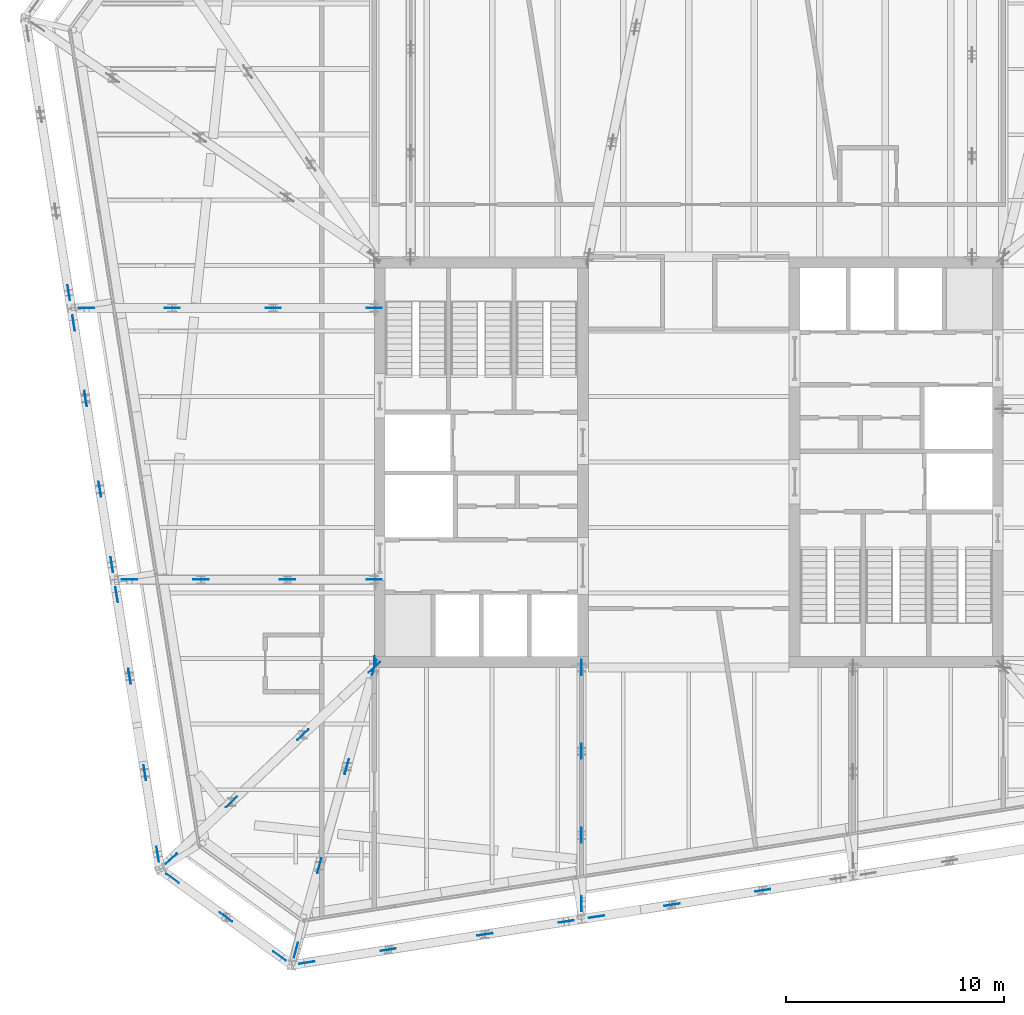
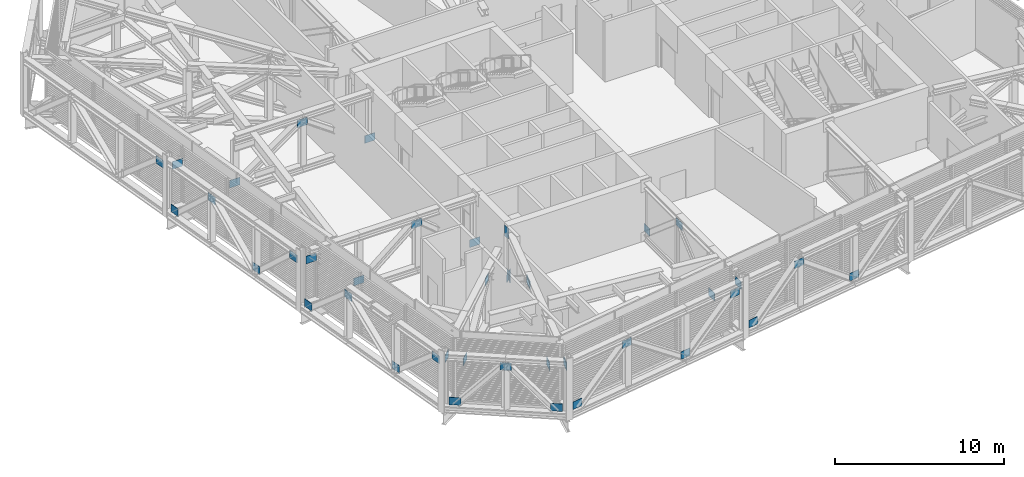
# One storey, part 27 of 32: 40 discrete accessories.
"""IFC4 building model written with IfcOpenShell, lengths in metres."""

from ifc_helpers import new_model, si_unit, direction, frame, origin, origin_2d, place, context, subcontext, project, spatial, rectangle, extrude, material, layer, layer_set, type_object, element, save


model = new_model("IFC4")

# Units and contexts
model_context = context("Model", 3, precision=1e-05, world=origin(), true_north=direction((0.0, 1.0)))
body_context = subcontext(model_context, "Body", "Model", "MODEL_VIEW")
ifc_project = project(units=[si_unit("LENGTHUNIT", "METRE"), si_unit("AREAUNIT", "SQUARE_METRE"), si_unit("VOLUMEUNIT", "CUBIC_METRE"), si_unit("PLANEANGLEUNIT", "RADIAN"), si_unit("MASSUNIT", "GRAM", prefix="KILO")], contexts=[model_context])

# Site, building, storey
site_placement = place(None, origin())
site = spatial("IfcSite", under=ifc_project, at=site_placement, CompositionType="ELEMENT")
building_placement = place(site_placement, origin())
building = spatial("IfcBuilding", under=site, at=building_placement, Name="Millrace Tower", CompositionType="ELEMENT")
storey_placement = place(building_placement, frame((0.0, 0.0, 266.89990234375)))
storey = spatial("IfcBuildingStorey", under=building, at=storey_placement, Name="L61", CompositionType="ELEMENT", Elevation=266.89990234375)

# Discrete accessories
ifc_material_1 = material(Name="Steel ASTM A572 Grade 50", Category="steel")
ifc_layer_1 = layer(ifc_material_1, 0.02490234375)
ifc_layer_set_1 = layer_set([ifc_layer_1], Name="Steel ASTM A572 Grade 50")
discrete_accessory_type_1 = type_object("IfcDiscreteAccessoryType", Name="Cast-in anchor plate 500x780x25", PredefinedType="ANCHORPLATE", material=ifc_layer_set_1)
discrete_accessory_1_placement = place(storey_placement, frame((-14.375, -9.14990234375, 3.76513671875), z_axis=(-1.0, 0.0, 0.0), x_axis=(0.0, -1.0, 0.0)))
element("IfcDiscreteAccessory", 1, at=discrete_accessory_1_placement, inside=storey, type_object=discrete_accessory_type_1, Name="Cast-in anchor plate BLT-L61-O01-V00", PredefinedType="ANCHORPLATE", context=body_context, shape_type="SweptSolid", body=[
    extrude(rectangle(XDim=0.5, YDim=0.780029296875, at=origin_2d()), origin(), (0.0, 0.0, 1.0), 0.02490234375),
])
ifc_material_2 = material(Name="Steel ASTM A572 Grade 50", Category="steel")
ifc_layer_2 = layer(ifc_material_2, 0.02490234375)
ifc_layer_set_2 = layer_set([ifc_layer_2], Name="Steel ASTM A572 Grade 50")
discrete_accessory_type_2 = type_object("IfcDiscreteAccessoryType", Name="Truss gusset plate 700x550x25", PredefinedType="BRACKET", material=ifc_layer_set_2)
discrete_accessory_2_placement = place(storey_placement, frame((-23.9228515625, -18.85205078125, 0.75), z_axis=(0.80894712746, -0.587881403835, 0.0), x_axis=(0.587881403835, 0.80894712746, 0.0)))
element("IfcDiscreteAccessory", 2, at=discrete_accessory_2_placement, inside=storey, type_object=discrete_accessory_type_2, Name="Truss gusset plate BLT-L61-R01-D01 foot", PredefinedType="BRACKET", context=body_context, shape_type="SweptSolid", body=[
    extrude(rectangle(XDim=0.02490234375, YDim=0.550048828125, at=origin_2d()), origin(), (0.0, 0.0, 1.0), 0.7001953125),
])
discrete_accessory_3_placement = place(storey_placement, frame((-21.473388671875, -20.631591796875, 3.489990234375), z_axis=(0.808826569644, -0.588047260207, 0.0), x_axis=(0.588047260207, 0.808826569644, 0.0)))
element("IfcDiscreteAccessory", 3, at=discrete_accessory_3_placement, inside=storey, type_object=discrete_accessory_type_2, Name="Truss gusset plate BLT-L61-R01-D01 head", PredefinedType="BRACKET", context=body_context, shape_type="SweptSolid", body=[
    extrude(rectangle(XDim=0.02490234375, YDim=0.550048828125, at=origin_2d()), origin(), (0.0, 0.0, 1.0), 0.699951171875),
])
discrete_accessory_4_placement = place(storey_placement, frame((-19.024169921875, -22.4111328125, 0.75), z_axis=(0.80894712746, -0.587881403835, 0.0), x_axis=(0.587881403835, 0.80894712746, 0.0)))
element("IfcDiscreteAccessory", 4, at=discrete_accessory_4_placement, inside=storey, type_object=discrete_accessory_type_2, Name="Truss gusset plate BLT-L61-R01-D02 foot", PredefinedType="BRACKET", context=body_context, shape_type="SweptSolid", body=[
    extrude(rectangle(XDim=0.02490234375, YDim=0.550048828125, at=origin_2d()), origin(), (0.0, 0.0, 1.0), 0.7001953125),
])
for number, where, z_axis, x_axis, name in (
    (5, (-17.8291015625, -22.9736328125, 0.75), (0.987717677878, 0.156249124184, 0.0), (-0.156249124184, 0.987717677878, 0.0), "Truss gusset plate BLT-L61-R02-D01 foot"),
    (6, (-14.099365234375, -22.3828125, 3.489990234375), (0.987717677878, 0.156249124184, 0.0), (-0.156249124184, 0.987717677878, 0.0), "Truss gusset plate BLT-L61-R02-D01 head"),
    (7, (-9.67822265625, -21.6826171875, 0.75), (0.987717677878, 0.156249124184, 0.0), (-0.156249124184, 0.987717677878, 0.0), "Truss gusset plate BLT-L61-R02-D02 foot"),
):
    element("IfcDiscreteAccessory", number, at=place(storey_placement, frame(where, z_axis=z_axis, x_axis=x_axis)), inside=storey, type_object=discrete_accessory_type_2, Name=name, PredefinedType="BRACKET", context=body_context, shape_type="SweptSolid", body=[
        extrude(rectangle(XDim=0.02490234375, YDim=0.550048828125, at=origin_2d()), origin(), (0.0, 0.0, 1.0), 0.699951171875),
    ])
discrete_accessory_5_placement = place(storey_placement, frame((-5.948486328125, -21.092041015625, 3.489990234375), z_axis=(0.987655240593, 0.156643307321, 0.0), x_axis=(-0.156643307321, 0.987655240593, 0.0)))
element("IfcDiscreteAccessory", 8, at=discrete_accessory_5_placement, inside=storey, type_object=discrete_accessory_type_2, Name="Truss gusset plate BLT-L61-R02-D03 head", PredefinedType="BRACKET", context=body_context, shape_type="SweptSolid", body=[
    extrude(rectangle(XDim=0.02490234375, YDim=0.550048828125, at=origin_2d()), origin(), (0.0, 0.0, 1.0), 0.69970703125),
])
for number, where, z_axis, x_axis, name in (
    (9, (-4.56591796875, -20.873046875, 0.75), (0.987663796475, 0.156589351913, 0.0), (-0.156589351913, 0.987663796475, 0.0), "Truss gusset plate BLT-L61-R03-D01 foot"),
    (10, (-1.10888671875, -20.325439453125, 3.489990234375), (0.987717677878, 0.156249124184, 0.0), (-0.156249124184, 0.987717677878, 0.0), "Truss gusset plate BLT-L61-R03-D01 head"),
    (11, (3.039306640625, -19.66845703125, 0.75), (0.987663796475, 0.156589351913, 0.0), (-0.156589351913, 0.987663796475, 0.0), "Truss gusset plate BLT-L61-R03-D02 foot"),
    (12, (-28.44189453125, 8.0986328125, 3.489990234375), (0.156249124184, -0.987717677878, 0.0), (0.987717677878, 0.156249124184, 0.0), "Truss gusset plate BLT-L61-R14-D03 head"),
    (13, (-28.222900390625, 6.7158203125, 0.75), (0.156249124184, -0.987717677878, 0.0), (0.987717677878, 0.156249124184, 0.0), "Truss gusset plate BLT-L61-R15-D01 foot"),
    (14, (-27.675537109375, 3.259033203125, 3.489990234375), (0.156589351913, -0.987663796475, 0.0), (0.987663796475, 0.156589351913, 0.0), "Truss gusset plate BLT-L61-R15-D01 head"),
    (15, (-27.018310546875, -0.889404296875, 0.75), (0.156249124184, -0.987717677878, 0.0), (0.987717677878, 0.156249124184, 0.0), "Truss gusset plate BLT-L61-R15-D02 foot"),
    (16, (-26.470947265625, -4.34619140625, 3.489990234375), (0.156589351913, -0.987663796475, 0.0), (0.987663796475, 0.156589351913, 0.0), "Truss gusset plate BLT-L61-R15-D03 head"),
    (17, (-26.251953125, -5.72900390625, 0.75), (0.156589351913, -0.987663796475, 0.0), (0.987663796475, 0.156589351913, 0.0), "Truss gusset plate BLT-L61-R16-D01 foot"),
    (18, (-25.6611328125, -9.45849609375, 3.489990234375), (0.156249124184, -0.987717677878, 0.0), (0.987717677878, 0.156249124184, 0.0), "Truss gusset plate BLT-L61-R16-D01 head"),
    (19, (-24.9609375, -13.879638671875, 0.75), (0.156249124184, -0.987717677878, 0.0), (0.987717677878, 0.156249124184, 0.0), "Truss gusset plate BLT-L61-R16-D02 foot"),
    (20, (-24.370361328125, -17.609375, 3.489990234375), (0.156589351913, -0.987663796475, 0.0), (0.987663796475, 0.156589351913, 0.0), "Truss gusset plate BLT-L61-R16-D03 head"),
):
    element("IfcDiscreteAccessory", number, at=place(storey_placement, frame(where, z_axis=z_axis, x_axis=x_axis)), inside=storey, type_object=discrete_accessory_type_2, Name=name, PredefinedType="BRACKET", context=body_context, shape_type="SweptSolid", body=[
        extrude(rectangle(XDim=0.02490234375, YDim=0.550048828125, at=origin_2d()), origin(), (0.0, 0.0, 1.0), 0.699951171875),
    ])
discrete_accessory_6_placement = place(storey_placement, frame((-14.654541015625, -9.64013671875, 0.75), z_axis=(0.72739036687, 0.686223909657, 0.0), x_axis=(-0.686223909657, 0.72739036687, 0.0)))
element("IfcDiscreteAccessory", 21, at=discrete_accessory_6_placement, inside=storey, type_object=discrete_accessory_type_2, Name="Truss gusset plate BLT-L61-O01-D01 foot", PredefinedType="BRACKET", context=body_context, shape_type="SweptSolid", body=[
    extrude(rectangle(XDim=0.02490234375, YDim=0.550048828125, at=origin_2d()), origin(), (0.0, 0.0, 1.0), 0.69970703125),
])
for number, where, z_axis, x_axis, name in (
    (22, (-17.92333984375, -12.72216796875, 3.489990234375), (0.727554587562, 0.686049795654, 0.0), (-0.686049795654, 0.727554587562, 0.0), "Truss gusset plate BLT-L61-O01-D01 head"),
    (23, (-21.19189453125, -15.804443359375, 0.75), (0.727554587562, 0.686049795654, 0.0), (-0.686049795654, 0.727554587562, 0.0), "Truss gusset plate BLT-L61-O01-D02 foot"),
    (24, (-23.951416015625, -18.40625, 3.489990234375), (0.727554587562, 0.686049795654, 0.0), (-0.686049795654, 0.727554587562, 0.0), "Truss gusset plate BLT-L61-O01-D03 head"),
    (25, (-14.493408203125, -9.7373046875, 0.75), (0.266834226745, 0.96374244248, 0.0), (-0.96374244248, 0.266834226745, 0.0), "Truss gusset plate BLT-L61-O02-D01 foot"),
    (26, (-15.751708984375, -14.280029296875, 3.489990234375), (0.267158149471, 0.963652698419, 0.0), (-0.963652698419, 0.267158149471, 0.0), "Truss gusset plate BLT-L61-O02-D01 head"),
):
    element("IfcDiscreteAccessory", number, at=place(storey_placement, frame(where, z_axis=z_axis, x_axis=x_axis)), inside=storey, type_object=discrete_accessory_type_2, Name=name, PredefinedType="BRACKET", context=body_context, shape_type="SweptSolid", body=[
        extrude(rectangle(XDim=0.02490234375, YDim=0.550048828125, at=origin_2d()), origin(), (0.0, 0.0, 1.0), 0.699951171875),
    ])
discrete_accessory_7_placement = place(storey_placement, frame((-17.010009765625, -18.822998046875, 0.75), z_axis=(0.267068388345, 0.963677578834, 0.0), x_axis=(-0.963677578834, 0.267068388345, 0.0)))
element("IfcDiscreteAccessory", 27, at=discrete_accessory_7_placement, inside=storey, type_object=discrete_accessory_type_2, Name="Truss gusset plate BLT-L61-O02-D02 foot", PredefinedType="BRACKET", context=body_context, shape_type="SweptSolid", body=[
    extrude(rectangle(XDim=0.02490234375, YDim=0.550048828125, at=origin_2d()), origin(), (0.0, 0.0, 1.0), 0.7001953125),
])
for number, where, z_axis, x_axis, name in (
    (28, (-18.081298828125, -22.691162109375, 3.489990234375), (0.267158149471, 0.963652698419, 0.0), (-0.963652698419, 0.267158149471, 0.0), "Truss gusset plate BLT-L61-O02-D03 head"),
    (29, (-4.91162109375, -9.75, 0.75), (0.0, 1.0, 0.0), (-1.0, 0.0, 0.0), "Truss gusset plate BLT-L61-O03-D01 foot"),
    (30, (-4.91162109375, -13.592529296875, 3.489990234375), (0.0, 1.0, 0.0), (-1.0, 0.0, 0.0), "Truss gusset plate BLT-L61-O03-D01 head"),
):
    element("IfcDiscreteAccessory", number, at=place(storey_placement, frame(where, z_axis=z_axis, x_axis=x_axis)), inside=storey, type_object=discrete_accessory_type_2, Name=name, PredefinedType="BRACKET", context=body_context, shape_type="SweptSolid", body=[
        extrude(rectangle(XDim=0.02490234375, YDim=0.550048828125, at=origin_2d()), origin(), (0.0, 0.0, 1.0), 0.699951171875),
    ])
discrete_accessory_8_placement = place(storey_placement, frame((-4.91162109375, -17.435302734375, 0.75), z_axis=(0.0, 1.0, 0.0), x_axis=(-1.0, 0.0, 0.0)))
element("IfcDiscreteAccessory", 31, at=discrete_accessory_8_placement, inside=storey, type_object=discrete_accessory_type_2, Name="Truss gusset plate BLT-L61-O03-D02 foot", PredefinedType="BRACKET", context=body_context, shape_type="SweptSolid", body=[
    extrude(rectangle(XDim=0.02490234375, YDim=0.550048828125, at=origin_2d()), origin(), (0.0, 0.0, 1.0), 0.7001953125),
])
for number, where, z_axis, x_axis, name in (
    (32, (-4.91162109375, -20.57763671875, 3.489990234375), (0.0, 1.0, 0.0), (-1.0, 0.0, 0.0), "Truss gusset plate BLT-L61-O03-D03 head"),
    (33, (-14.75, 7.0615234375, 0.75), (1.0, 0.0, 0.0), (0.0, 1.0, 0.0), "Truss gusset plate BLT-L61-O15-D01 foot"),
):
    element("IfcDiscreteAccessory", number, at=place(storey_placement, frame(where, z_axis=z_axis, x_axis=x_axis)), inside=storey, type_object=discrete_accessory_type_2, Name=name, PredefinedType="BRACKET", context=body_context, shape_type="SweptSolid", body=[
        extrude(rectangle(XDim=0.02490234375, YDim=0.550048828125, at=origin_2d()), origin(), (0.0, 0.0, 1.0), 0.699951171875),
    ])
discrete_accessory_9_placement = place(storey_placement, frame((-19.3759765625, 7.0615234375, 3.489990234375), z_axis=(1.0, 0.0, 0.0), x_axis=(0.0, 1.0, 0.0)))
element("IfcDiscreteAccessory", 34, at=discrete_accessory_9_placement, inside=storey, type_object=discrete_accessory_type_2, Name="Truss gusset plate BLT-L61-O15-D01 head", PredefinedType="BRACKET", context=body_context, shape_type="SweptSolid", body=[
    extrude(rectangle(XDim=0.02490234375, YDim=0.550048828125, at=origin_2d()), origin(), (0.0, 0.0, 1.0), 0.7001953125),
])
for number, where, z_axis, x_axis, name in (
    (35, (-24.001708984375, 7.0615234375, 0.75), (1.0, 0.0, 0.0), (0.0, 1.0, 0.0), "Truss gusset plate BLT-L61-O15-D02 foot"),
    (36, (-27.927734375, 7.0615234375, 3.489990234375), (1.0, 0.0, 0.0), (0.0, 1.0, 0.0), "Truss gusset plate BLT-L61-O15-D03 head"),
    (37, (-14.75, -5.38330078125, 0.75), (1.0, 0.0, 0.0), (0.0, 1.0, 0.0), "Truss gusset plate BLT-L61-O16-D01 foot"),
):
    element("IfcDiscreteAccessory", number, at=place(storey_placement, frame(where, z_axis=z_axis, x_axis=x_axis)), inside=storey, type_object=discrete_accessory_type_2, Name=name, PredefinedType="BRACKET", context=body_context, shape_type="SweptSolid", body=[
        extrude(rectangle(XDim=0.02490234375, YDim=0.550048828125, at=origin_2d()), origin(), (0.0, 0.0, 1.0), 0.699951171875),
    ])
discrete_accessory_10_placement = place(storey_placement, frame((-18.718994140625, -5.38330078125, 3.489990234375), z_axis=(1.0, 0.0, 0.0), x_axis=(0.0, 1.0, 0.0)))
element("IfcDiscreteAccessory", 38, at=discrete_accessory_10_placement, inside=storey, type_object=discrete_accessory_type_2, Name="Truss gusset plate BLT-L61-O16-D01 head", PredefinedType="BRACKET", context=body_context, shape_type="SweptSolid", body=[
    extrude(rectangle(XDim=0.02490234375, YDim=0.550048828125, at=origin_2d()), origin(), (0.0, 0.0, 1.0), 0.7001953125),
])
discrete_accessory_11_placement = place(storey_placement, frame((-22.687744140625, -5.38330078125, 0.75), z_axis=(1.0, 0.0, 0.0), x_axis=(0.0, 1.0, 0.0)))
element("IfcDiscreteAccessory", 39, at=discrete_accessory_11_placement, inside=storey, type_object=discrete_accessory_type_2, Name="Truss gusset plate BLT-L61-O16-D02 foot", PredefinedType="BRACKET", context=body_context, shape_type="SweptSolid", body=[
    extrude(rectangle(XDim=0.02490234375, YDim=0.550048828125, at=origin_2d()), origin(), (0.0, 0.0, 1.0), 0.699951171875),
])
discrete_accessory_12_placement = place(storey_placement, frame((-25.956787109375, -5.38330078125, 3.489990234375), z_axis=(1.0, 0.0, 0.0), x_axis=(0.0, 1.0, 0.0)))
element("IfcDiscreteAccessory", 40, at=discrete_accessory_12_placement, inside=storey, type_object=discrete_accessory_type_2, Name="Truss gusset plate BLT-L61-O16-D03 head", PredefinedType="BRACKET", context=body_context, shape_type="SweptSolid", body=[
    extrude(rectangle(XDim=0.02490234375, YDim=0.550048828125, at=origin_2d()), origin(), (0.0, 0.0, 1.0), 0.7001953125),
])

save(model, "model.ifc")
